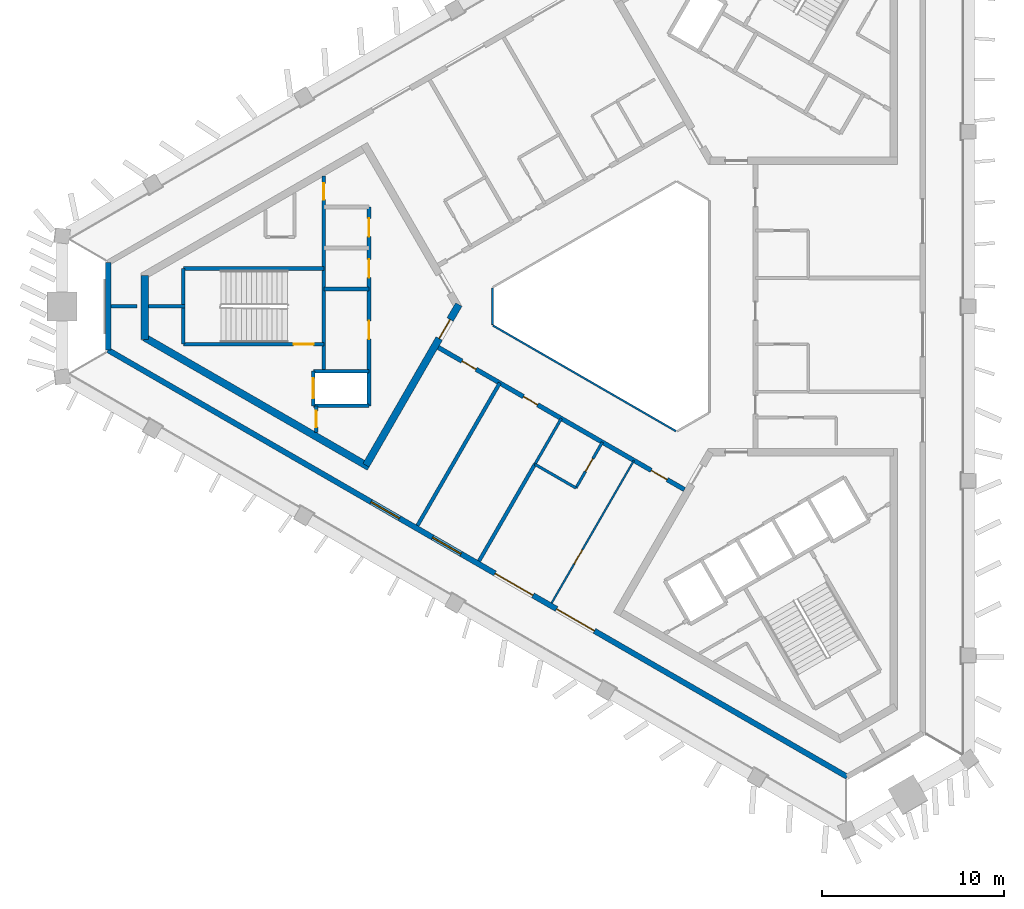
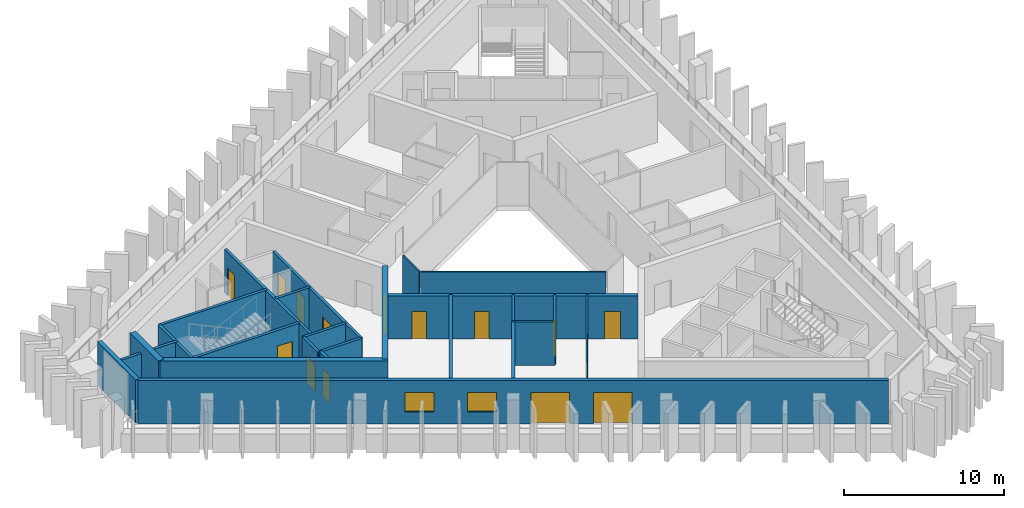
# One storey, part 2 of 9: 26 walls, 15 doors, 2 windows, 17 openings.
"""IFC4 building model written with IfcOpenShell, lengths in metres."""

from ifc_helpers import new_model, si_unit, direction, frame, frame_2d, origin, place, context, subcontext, project, spatial, rectangle, extrude, material, layer, layer_set, type_object, element, fill, save


model = new_model("IFC4")

# Units and contexts
model_context = context("Model", 3, precision=1e-05, world=origin(), true_north=direction((0.0, 1.0)))
body_context = subcontext(model_context, "Body", "Model", "MODEL_VIEW")
ifc_project = project(units=[si_unit("LENGTHUNIT", "METRE"), si_unit("AREAUNIT", "SQUARE_METRE"), si_unit("VOLUMEUNIT", "CUBIC_METRE"), si_unit("PLANEANGLEUNIT", "RADIAN"), si_unit("MASSUNIT", "GRAM", prefix="KILO")], contexts=[model_context])

# Site, building, storey
site_placement = place(None, origin())
site = spatial("IfcSite", under=ifc_project, at=site_placement, CompositionType="ELEMENT")
building_placement = place(site_placement, origin())
building = spatial("IfcBuilding", under=site, at=building_placement, Name="Jabali Bay Hotel Tower and Convention Centre", CompositionType="ELEMENT")
storey_placement = place(building_placement, frame((0.0, 0.0, 288.60009765625)))
storey = spatial("IfcBuildingStorey", under=building, at=storey_placement, Name="L71", CompositionType="ELEMENT", Elevation=288.60009765625)

# Walls
ifc_material_1 = material(Name="Fire-resistant glazing", Category="glass")
ifc_layer_1 = layer(ifc_material_1, 0.10009765625)
ifc_layer_set_1 = layer_set([ifc_layer_1], Name="Fire-resistant glazing")
wall_type_1 = type_object("IfcWallType", Name="Atrium glazed screen 100", PredefinedType="PARTITIONING", material=ifc_layer_set_1)
wall_1_placement = place(storey_placement, frame((67.672119140625, 81.0, 0.0), z_axis=(0.0, 0.0, 1.0), x_axis=(0.0, -1.0, 0.0)))
element("IfcWall", 1, at=wall_1_placement, inside=storey, type_object=wall_type_1, Name="Atrium screen 4 L71", PredefinedType="PARTITIONING", context=body_context, shape_type="SweptSolid", body=[
    extrude(rectangle(XDim=2.0, YDim=0.10009765625, at=frame_2d((1.0, 0.0))), origin(), (0.0, 0.0, 1.0), 3.2998046875),
])
wall_2_placement = place(storey_placement, frame((67.7021484375, 78.947998046875, 0.0), z_axis=(0.0, 0.0, 1.0), x_axis=(0.866026658274, -0.499997827154, 0.0)))
element("IfcWall", 2, at=wall_2_placement, inside=storey, type_object=wall_type_1, Name="Atrium screen 5 L71", PredefinedType="PARTITIONING", context=body_context, shape_type="SweptSolid", body=[
    extrude(rectangle(XDim=11.58837890625, YDim=0.10009765625, at=frame_2d((5.794189453125, 0.0))), origin(), (0.0, 0.0, 1.0), 3.2998046875),
])
ifc_material_2 = material(Name="Concrete C40", Category="concrete")
ifc_layer_2 = layer(ifc_material_2, 0.199951171875)
ifc_layer_set_2 = layer_set([ifc_layer_2], Name="Concrete C40")
wall_type_2 = type_object("IfcWallType", Name="Core partition wall 200", PredefinedType="PARTITIONING", material=ifc_layer_set_2)
wall_3_placement = place(storey_placement, frame((50.820068359375, 80.0, 0.0), z_axis=(0.0, 0.0, 1.0), x_axis=(-1.0, 0.0, 0.0)))
element("IfcWall", 3, at=wall_3_placement, inside=storey, type_object=wall_type_2, Name="Core wall 0.5 L71", PredefinedType="PARTITIONING", context=body_context, shape_type="SweptSolid", body=[
    extrude(rectangle(XDim=2.023193359375, YDim=0.199951171875, at=frame_2d((1.01171875, 0.0))), origin(), (0.0, 0.0, 1.0), 3.2998046875),
])

# Wall, opening, door
wall_4_placement = place(storey_placement, frame((58.0, 74.550048828125, 0.0), z_axis=(0.0, 0.0, 1.0), x_axis=(0.0, -1.0, 0.0)))
wall_4 = element("IfcWall", 4, at=wall_4_placement, inside=storey, type_object=wall_type_2, Name="Core wall 0.11 L71", PredefinedType="PARTITIONING", context=body_context, shape_type="SweptSolid", body=[
    extrude(rectangle(XDim=1.455078125, YDim=0.199951171875, at=frame_2d((0.7275390625, 0.0))), origin(), (0.0, 0.0, 1.0), 3.2998046875),
])
opening_1_placement = place(wall_4_placement, frame((0.277587890625, 0.0, 0.0)))
opening_1 = element("IfcOpeningElement", 5, at=opening_1_placement, cuts=wall_4, Name="Opening D1569", PredefinedType="OPENING", context=body_context, shape_type="SweptSolid", body=[
    extrude(rectangle(XDim=0.89990234375, YDim=2.10009765625, at=frame_2d((0.449951171875, 1.050048828125))), frame((0.0, 0.1103515625, 0.0), z_axis=(0.0, -1.0, 0.0), x_axis=(1.0, 0.0, 0.0)), (0.0, 0.0, 1.0), 0.220947265625),
])
ifc_material_3 = material(Name="Fire-rated steel door", Category="steel")
door_type_1 = type_object("IfcDoorType", Name="Vestibule fire door 900 x 2100", OperationType="NOTDEFINED", PredefinedType="NOTDEFINED", material=ifc_material_3)
door_1_placement = place(opening_1_placement, origin())
door_1 = element("IfcDoor", 6, at=door_1_placement, inside=storey, type_object=door_type_1, Name="Vestibule fire door D1569", OperationType="SINGLE_SWING_LEFT", OverallHeight=2.10009765625, OverallWidth=0.89990234375, PredefinedType="NOTDEFINED", context=body_context, shape_type="SweptSolid", body=[
    extrude(rectangle(XDim=0.89990234375, YDim=2.10009765625, at=frame_2d((0.449951171875, 1.050048828125))), frame((0.0, 0.02490234375, 0.0), z_axis=(0.0, -1.0, 0.0), x_axis=(1.0, 0.0, 0.0)), (0.0, 0.0, 1.0), 0.050048828125),
])
fill(opening_1, door_1)

# Walls
ifc_layer_3 = layer(ifc_material_2, 0.199951171875)
ifc_layer_set_3 = layer_set([ifc_layer_3], Name="Concrete C40")
wall_type_3 = type_object("IfcWallType", Name="Core stair wall 200", PredefinedType="SOLIDWALL", material=ifc_layer_set_3)
wall_5_placement = place(storey_placement, frame((58.419921875, 82.074951171875, 0.0), z_axis=(0.0, 0.0, 1.0), x_axis=(-1.0, 0.0, 0.0)))
element("IfcWall", 7, at=wall_5_placement, inside=storey, type_object=wall_type_3, Name="Core wall 0.3 L71", PredefinedType="SOLIDWALL", context=body_context, shape_type="SweptSolid", body=[
    extrude(rectangle(XDim=7.699951171875, YDim=0.199951171875, at=frame_2d((3.85009765625, 0.0))), origin(), (0.0, 0.0, 1.0), 3.2998046875),
])
wall_6_placement = place(storey_placement, frame((60.89990234375, 80.949951171875, 0.0), z_axis=(0.0, 0.0, 1.0), x_axis=(-1.0, 0.0, 0.0)))
element("IfcWall", 8, at=wall_6_placement, inside=storey, type_object=wall_type_3, Name="Core wall 0.4 L71", PredefinedType="SOLIDWALL", context=body_context, shape_type="SweptSolid", body=[
    extrude(rectangle(XDim=2.47998046875, YDim=0.199951171875, at=frame_2d((1.239990234375, 0.0))), origin(), (0.0, 0.0, 1.0), 3.2998046875),
])

# Wall, opening, door
wall_7_placement = place(storey_placement, frame((58.419921875, 77.925048828125, 0.0), z_axis=(0.0, 0.0, 1.0), x_axis=(-1.0, 0.0, 0.0)))
wall_7 = element("IfcWall", 9, at=wall_7_placement, inside=storey, type_object=wall_type_3, Name="Core wall 0.6 L71", PredefinedType="SOLIDWALL", context=body_context, shape_type="SweptSolid", body=[
    extrude(rectangle(XDim=7.699951171875, YDim=0.199951171875, at=frame_2d((3.85009765625, 0.0))), origin(), (0.0, 0.0, 1.0), 3.2998046875),
])
opening_2_placement = place(wall_7_placement, frame((0.550048828125, 0.0, 0.0)))
opening_2 = element("IfcOpeningElement", 10, at=opening_2_placement, cuts=wall_7, Name="Opening D1571", PredefinedType="OPENING", context=body_context, shape_type="SweptSolid", body=[
    extrude(rectangle(XDim=1.10009765625, YDim=2.10009765625, at=frame_2d((0.550048828125, 1.050048828125))), frame((0.0, 0.1103515625, 0.0), z_axis=(0.0, -1.0, 0.0), x_axis=(1.0, 0.0, 0.0)), (0.0, 0.0, 1.0), 0.220947265625),
])
door_type_2 = type_object("IfcDoorType", Name="Stair fire door 1100 x 2100", OperationType="NOTDEFINED", PredefinedType="NOTDEFINED", material=ifc_material_3)
door_2_placement = place(opening_2_placement, origin())
door_2 = element("IfcDoor", 11, at=door_2_placement, inside=storey, type_object=door_type_2, Name="Stair fire door D1571", OperationType="SINGLE_SWING_RIGHT", OverallHeight=2.10009765625, OverallWidth=1.10009765625, PredefinedType="NOTDEFINED", context=body_context, shape_type="SweptSolid", body=[
    extrude(rectangle(XDim=1.10009765625, YDim=2.10009765625, at=frame_2d((0.550048828125, 1.050048828125))), frame((0.0, 0.02490234375, 0.0), z_axis=(0.0, -1.0, 0.0), x_axis=(1.0, 0.0, 0.0)), (0.0, 0.0, 1.0), 0.050048828125),
])
fill(opening_2, door_2)

# Walls
for number, where, z_axis, x_axis, name in (
    (12, (60.89990234375, 76.449951171875, 0.0), (0.0, 0.0, 1.0), (-1.0, 0.0, 0.0), "Core wall 0.7 L71"),
    (13, (60.89990234375, 74.550048828125, 0.0), (0.0, 0.0, 1.0), (-1.0, 0.0, 0.0), "Core wall 0.8 L71"),
):
    element("IfcWall", number, at=place(storey_placement, frame(where, z_axis=z_axis, x_axis=x_axis)), inside=storey, type_object=wall_type_3, Name=name, PredefinedType="SOLIDWALL", context=body_context, shape_type="SweptSolid", body=[
        extrude(rectangle(XDim=3.0498046875, YDim=0.199951171875, at=frame_2d((1.52490234375, 0.0))), origin(), (0.0, 0.0, 1.0), 3.2998046875),
    ])

# Wall, openings, doors
wall_8_placement = place(storey_placement, frame((60.89990234375, 85.449951171875, 0.0), z_axis=(0.0, 0.0, 1.0), x_axis=(0.0, -1.0, 0.0)))
wall_8 = element("IfcWall", 14, at=wall_8_placement, inside=storey, type_object=wall_type_3, Name="Core wall 0.9 L71", PredefinedType="SOLIDWALL", context=body_context, shape_type="SweptSolid", body=[
    extrude(rectangle(XDim=10.89990234375, YDim=0.199951171875, at=frame_2d((5.449951171875, 0.0))), origin(), (0.0, 0.0, 1.0), 3.2998046875),
])
opening_3_placement = place(wall_8_placement, frame((0.625, 0.0, 0.0)))
opening_3 = element("IfcOpeningElement", 15, at=opening_3_placement, cuts=wall_8, Name="Opening D1566", PredefinedType="OPENING", context=body_context, shape_type="SweptSolid", body=[
    extrude(rectangle(XDim=1.0, YDim=2.10009765625, at=frame_2d((0.5, 1.050048828125))), frame((0.0, 0.1103515625, 0.0), z_axis=(0.0, -1.0, 0.0), x_axis=(1.0, 0.0, 0.0)), (0.0, 0.0, 1.0), 0.220947265625),
])
opening_4_placement = place(wall_8_placement, frame((2.875, 0.0, 0.0)))
opening_4 = element("IfcOpeningElement", 16, at=opening_4_placement, cuts=wall_8, Name="Opening D1567", PredefinedType="OPENING", context=body_context, shape_type="SweptSolid", body=[
    extrude(rectangle(XDim=1.0, YDim=2.10009765625, at=frame_2d((0.5, 1.050048828125))), frame((0.0, 0.1103515625, 0.0), z_axis=(0.0, -1.0, 0.0), x_axis=(1.0, 0.0, 0.0)), (0.0, 0.0, 1.0), 0.220947265625),
])
opening_5_placement = place(wall_8_placement, frame((6.25, 0.0, 0.0)))
opening_5 = element("IfcOpeningElement", 17, at=opening_5_placement, cuts=wall_8, Name="Opening D1568", PredefinedType="OPENING", context=body_context, shape_type="SweptSolid", body=[
    extrude(rectangle(XDim=1.0, YDim=2.10009765625, at=frame_2d((0.5, 1.050048828125))), frame((0.0, 0.1103515625, 0.0), z_axis=(0.0, -1.0, 0.0), x_axis=(1.0, 0.0, 0.0)), (0.0, 0.0, 1.0), 0.220947265625),
])
door_type_3 = type_object("IfcDoorType", Name="Core room door 1000 x 2100", OperationType="NOTDEFINED", PredefinedType="NOTDEFINED", material=ifc_material_3)
door_3_placement = place(opening_3_placement, origin())
door_3 = element("IfcDoor", 18, at=door_3_placement, inside=storey, type_object=door_type_3, Name="Core room door D1566", OperationType="SINGLE_SWING_RIGHT", OverallHeight=2.10009765625, OverallWidth=1.0, PredefinedType="NOTDEFINED", context=body_context, shape_type="SweptSolid", body=[
    extrude(rectangle(XDim=1.0, YDim=2.10009765625, at=frame_2d((0.5, 1.050048828125))), frame((0.0, 0.02490234375, 0.0), z_axis=(0.0, -1.0, 0.0), x_axis=(1.0, 0.0, 0.0)), (0.0, 0.0, 1.0), 0.050048828125),
])
fill(opening_3, door_3)
door_4_placement = place(opening_4_placement, origin())
door_4 = element("IfcDoor", 19, at=door_4_placement, inside=storey, type_object=door_type_3, Name="Core room door D1567", OperationType="SINGLE_SWING_RIGHT", OverallHeight=2.10009765625, OverallWidth=1.0, PredefinedType="NOTDEFINED", context=body_context, shape_type="SweptSolid", body=[
    extrude(rectangle(XDim=1.0, YDim=2.10009765625, at=frame_2d((0.5, 1.050048828125))), frame((0.0, 0.02490234375, 0.0), z_axis=(0.0, -1.0, 0.0), x_axis=(1.0, 0.0, 0.0)), (0.0, 0.0, 1.0), 0.050048828125),
])
fill(opening_4, door_4)
door_5_placement = place(opening_5_placement, origin())
door_5 = element("IfcDoor", 20, at=door_5_placement, inside=storey, type_object=door_type_3, Name="Core room door D1568", OperationType="SINGLE_SWING_RIGHT", OverallHeight=2.10009765625, OverallWidth=1.0, PredefinedType="NOTDEFINED", context=body_context, shape_type="SweptSolid", body=[
    extrude(rectangle(XDim=1.0, YDim=2.10009765625, at=frame_2d((0.5, 1.050048828125))), frame((0.0, 0.02490234375, 0.0), z_axis=(0.0, -1.0, 0.0), x_axis=(1.0, 0.0, 0.0)), (0.0, 0.0, 1.0), 0.050048828125),
])
fill(opening_5, door_5)

# Wall, opening, door
wall_9_placement = place(storey_placement, frame((58.419921875, 87.147705078125, 0.0), z_axis=(0.0, 0.0, 1.0), x_axis=(0.0, -1.0, 0.0)))
wall_9 = element("IfcWall", 21, at=wall_9_placement, inside=storey, type_object=wall_type_3, Name="Core wall 0.10 L71", PredefinedType="SOLIDWALL", context=body_context, shape_type="SweptSolid", body=[
    extrude(rectangle(XDim=10.69775390625, YDim=0.199951171875, at=frame_2d((5.348876953125, 0.0))), origin(), (0.0, 0.0, 1.0), 3.2998046875),
])
opening_6_placement = place(wall_9_placement, frame((0.398681640625, 0.0, 0.0)))
opening_6 = element("IfcOpeningElement", 22, at=opening_6_placement, cuts=wall_9, Name="Opening D1570", PredefinedType="OPENING", context=body_context, shape_type="SweptSolid", body=[
    extrude(rectangle(XDim=0.89990234375, YDim=2.10009765625, at=frame_2d((0.449951171875, 1.050048828125))), frame((0.0, 0.1103515625, 0.0), z_axis=(0.0, -1.0, 0.0), x_axis=(1.0, 0.0, 0.0)), (0.0, 0.0, 1.0), 0.220947265625),
])
door_6_placement = place(opening_6_placement, origin())
door_6 = element("IfcDoor", 23, at=door_6_placement, inside=storey, type_object=door_type_1, Name="Vestibule fire door D1570", OperationType="SINGLE_SWING_LEFT", OverallHeight=2.10009765625, OverallWidth=0.89990234375, PredefinedType="NOTDEFINED", context=body_context, shape_type="SweptSolid", body=[
    extrude(rectangle(XDim=0.89990234375, YDim=2.10009765625, at=frame_2d((0.449951171875, 1.050048828125))), frame((0.0, 0.02490234375, 0.0), z_axis=(0.0, -1.0, 0.0), x_axis=(1.0, 0.0, 0.0)), (0.0, 0.0, 1.0), 0.050048828125),
])
fill(opening_6, door_6)

wall_10_placement = place(storey_placement, frame((57.85009765625, 76.449951171875, 0.0), z_axis=(0.0, 0.0, 1.0), x_axis=(0.0, -1.0, 0.0)))
wall_10 = element("IfcWall", 24, at=wall_10_placement, inside=storey, type_object=wall_type_3, Name="Core wall 0.12 L71", PredefinedType="SOLIDWALL", context=body_context, shape_type="SweptSolid", body=[
    extrude(rectangle(XDim=1.89990234375, YDim=0.199951171875, at=frame_2d((0.949951171875, 0.0))), origin(), (0.0, 0.0, 1.0), 3.2998046875),
])
opening_7_placement = place(wall_10_placement, frame((0.39990234375, 0.0, 0.0)))
opening_7 = element("IfcOpeningElement", 25, at=opening_7_placement, cuts=wall_10, Name="Opening LD5-L71", PredefinedType="OPENING", context=body_context, shape_type="SweptSolid", body=[
    extrude(rectangle(XDim=1.10009765625, YDim=2.10009765625, at=frame_2d((0.550048828125, 1.050048828125))), frame((0.0, 0.1103515625, 0.0), z_axis=(0.0, -1.0, 0.0), x_axis=(1.0, 0.0, 0.0)), (0.0, 0.0, 1.0), 0.220947265625),
])
ifc_material_4 = material(Name="Stainless steel landing door", Category="steel")
door_type_4 = type_object("IfcDoorType", Name="Landing door 1100 x 2100", OperationType="NOTDEFINED", PredefinedType="NOTDEFINED", material=ifc_material_4)
door_7_placement = place(opening_7_placement, origin())
door_7 = element("IfcDoor", 26, at=door_7_placement, inside=storey, type_object=door_type_4, Name="Landing doors LD5-L71", OperationType="SLIDING_TO_RIGHT", OverallHeight=2.10009765625, OverallWidth=1.10009765625, PredefinedType="NOTDEFINED", context=body_context, shape_type="SweptSolid", body=[
    extrude(rectangle(XDim=1.10009765625, YDim=2.10009765625, at=frame_2d((0.550048828125, 1.050048828125))), frame((0.0, 0.02490234375, 0.0), z_axis=(0.0, -1.0, 0.0), x_axis=(1.0, 0.0, 0.0)), (0.0, 0.0, 1.0), 0.050048828125),
])
fill(opening_7, door_7)

# Walls
wall_11_placement = place(storey_placement, frame((50.719970703125, 82.074951171875, 0.0), z_axis=(0.0, 0.0, 1.0), x_axis=(0.0, -1.0, 0.0)))
element("IfcWall", 27, at=wall_11_placement, inside=storey, type_object=wall_type_3, Name="Core wall 0.15 L71", PredefinedType="SOLIDWALL", context=body_context, shape_type="SweptSolid", body=[
    extrude(rectangle(XDim=4.14990234375, YDim=0.199951171875, at=frame_2d((2.074951171875, 0.0))), origin(), (0.0, 0.0, 1.0), 3.2998046875),
])
ifc_material_5 = material(Name="Concrete C60", Category="concrete")
ifc_layer_4 = layer(ifc_material_5, 0.39990234375)
ifc_layer_set_4 = layer_set([ifc_layer_4], Name="Concrete C60")
wall_type_4 = type_object("IfcWallType", Name="Core wall 400", PredefinedType="SHEAR", material=ifc_layer_set_4)
wall_12_placement = place(storey_placement, frame((48.596923828125, 81.707275390625, 0.0), z_axis=(0.0, 0.0, 1.0), x_axis=(0.0, -1.0, 0.0)))
element("IfcWall", 28, at=wall_12_placement, inside=storey, type_object=wall_type_4, Name="Core wall 1.3 L71", PredefinedType="SHEAR", context=body_context, shape_type="SweptSolid", body=[
    extrude(rectangle(XDim=3.530029296875, YDim=0.39990234375, at=frame_2d((1.76513671875, 0.0))), origin(), (0.0, 0.0, 1.0), 3.699951171875),
])
wall_13_placement = place(storey_placement, frame((48.596923828125, 78.292724609375, 0.0), z_axis=(0.0, 0.0, 1.0), x_axis=(0.866026024469, -0.499998924941, 0.0)))
element("IfcWall", 29, at=wall_13_placement, inside=storey, type_object=wall_type_4, Name="Core wall 1.4 L71", PredefinedType="SHEAR", context=body_context, shape_type="SweptSolid", body=[
    extrude(rectangle(XDim=14.2177734375, YDim=0.39990234375, at=frame_2d((7.10888671875, 0.0))), origin(), (0.0, 0.0, 1.0), 3.699951171875),
])

# Wall, opening, door
wall_14_placement = place(storey_placement, frame((60.73681640625, 71.283935546875, 0.0), z_axis=(0.0, 0.0, 1.0), x_axis=(0.50000547566, 0.866022242388, 0.0)))
wall_14 = element("IfcWall", 30, at=wall_14_placement, inside=storey, type_object=wall_type_4, Name="Core wall 1.5 L71", PredefinedType="SHEAR", context=body_context, shape_type="SweptSolid", body=[
    extrude(rectangle(XDim=10.18017578125, YDim=0.39990234375, at=frame_2d((5.090087890625, 0.0))), origin(), (0.0, 0.0, 1.0), 3.699951171875),
])
opening_8_placement = place(wall_14_placement, frame((8.030029296875, 0.0, 0.0)))
opening_8 = element("IfcOpeningElement", 31, at=opening_8_placement, cuts=wall_14, Name="Opening D1565", PredefinedType="OPENING", context=body_context, shape_type="SweptSolid", body=[
    extrude(rectangle(XDim=1.199951171875, YDim=2.10009765625, at=frame_2d((0.60009765625, 1.050048828125))), frame((0.0, 0.21044921875, 0.0), z_axis=(0.0, -1.0, 0.0), x_axis=(1.0, 0.0, 0.0)), (0.0, 0.0, 1.0), 0.4208984375),
])
door_type_5 = type_object("IfcDoorType", Name="Corridor end fire door 1200 x 2100", OperationType="NOTDEFINED", PredefinedType="NOTDEFINED", material=ifc_material_3)
door_8_placement = place(opening_8_placement, origin())
door_8 = element("IfcDoor", 32, at=door_8_placement, inside=storey, type_object=door_type_5, Name="Corridor end fire door D1565", OperationType="SINGLE_SWING_LEFT", OverallHeight=2.10009765625, OverallWidth=1.199951171875, PredefinedType="NOTDEFINED", context=body_context, shape_type="SweptSolid", body=[
    extrude(rectangle(XDim=1.199951171875, YDim=2.10009765625, at=frame_2d((0.60009765625, 1.050048828125))), frame((0.0, 0.02490234375, 0.0), z_axis=(0.0, -1.0, 0.0), x_axis=(1.0, 0.0, 0.0)), (0.0, 0.0, 1.0), 0.050048828125),
])
fill(opening_8, door_8)

# Wall, openings, doors
ifc_layer_5 = layer(ifc_material_5, 0.25)
ifc_layer_set_5 = layer_set([ifc_layer_5], Name="Concrete C60")
wall_type_5 = type_object("IfcWallType", Name="Corridor wall 250", PredefinedType="SHEAR", material=ifc_layer_set_5)
wall_15_placement = place(storey_placement, frame((64.699951171875, 77.748291015625, 0.0), z_axis=(0.0, 0.0, 1.0), x_axis=(0.866026492143, -0.499998114903, 0.0)))
wall_15 = element("IfcWall", 33, at=wall_15_placement, inside=storey, type_object=wall_type_5, Name="Corridor wall 3 L71", PredefinedType="SHEAR", context=body_context, shape_type="SweptSolid", body=[
    extrude(rectangle(XDim=15.58837890625, YDim=0.25, at=frame_2d((7.794189453125, 0.0))), origin(), (0.0, 0.0, 1.0), 3.2998046875),
])
opening_9_placement = place(wall_15_placement, frame((1.49853515625, 0.0, 0.0)))
opening_9 = element("IfcOpeningElement", 34, at=opening_9_placement, cuts=wall_15, Name="Opening 7114", PredefinedType="OPENING", context=body_context, shape_type="SweptSolid", body=[
    extrude(rectangle(XDim=0.89990234375, YDim=2.10009765625, at=frame_2d((0.449951171875, 1.050048828125))), frame((0.0, 0.135498046875, 0.0), z_axis=(0.0, -1.0, 0.0), x_axis=(1.0, 0.0, 0.0)), (0.0, 0.0, 1.0), 0.27099609375),
])
opening_10_placement = place(wall_15_placement, frame((5.395751953125, 0.0, 0.0)))
opening_10 = element("IfcOpeningElement", 35, at=opening_10_placement, cuts=wall_15, Name="Opening 7115", PredefinedType="OPENING", context=body_context, shape_type="SweptSolid", body=[
    extrude(rectangle(XDim=0.89990234375, YDim=2.10009765625, at=frame_2d((0.449951171875, 1.050048828125))), frame((0.0, 0.135498046875, 0.0), z_axis=(0.0, -1.0, 0.0), x_axis=(1.0, 0.0, 0.0)), (0.0, 0.0, 1.0), 0.27099609375),
])
opening_11_placement = place(wall_15_placement, frame((13.4912109375, 0.0, 0.0)))
opening_11 = element("IfcOpeningElement", 36, at=opening_11_placement, cuts=wall_15, Name="Opening 7118", PredefinedType="OPENING", context=body_context, shape_type="SweptSolid", body=[
    extrude(rectangle(XDim=1.0, YDim=2.10009765625, at=frame_2d((0.5, 1.050048828125))), frame((0.0, 0.135498046875, 0.0), z_axis=(0.0, -1.0, 0.0), x_axis=(1.0, 0.0, 0.0)), (0.0, 0.0, 1.0), 0.27099609375),
])
ifc_material_6 = material(Name="Timber", Category="wood")
door_type_6 = type_object("IfcDoorType", Name="Guest room door 1000 x 2100", OperationType="NOTDEFINED", PredefinedType="NOTDEFINED", material=ifc_material_6)
door_9_placement = place(opening_11_placement, origin())
door_9 = element("IfcDoor", 37, at=door_9_placement, inside=storey, type_object=door_type_6, Name="Door 7118", OperationType="SINGLE_SWING_RIGHT", OverallHeight=2.10009765625, OverallWidth=1.0, PredefinedType="NOTDEFINED", context=body_context, shape_type="SweptSolid", body=[
    extrude(rectangle(XDim=1.0, YDim=2.10009765625, at=frame_2d((0.5, 1.050048828125))), frame((0.0, 0.02490234375, 0.0), z_axis=(0.0, -1.0, 0.0), x_axis=(1.0, 0.0, 0.0)), (0.0, 0.0, 1.0), 0.050048828125),
])
fill(opening_11, door_9)
door_type_7 = type_object("IfcDoorType", Name="Internal door 900 x 2100", OperationType="NOTDEFINED", PredefinedType="NOTDEFINED", material=ifc_material_6)
door_10_placement = place(opening_9_placement, origin())
door_10 = element("IfcDoor", 38, at=door_10_placement, inside=storey, type_object=door_type_7, Name="Door 7114", OperationType="SINGLE_SWING_LEFT", OverallHeight=2.10009765625, OverallWidth=0.89990234375, PredefinedType="NOTDEFINED", context=body_context, shape_type="SweptSolid", body=[
    extrude(rectangle(XDim=0.89990234375, YDim=2.10009765625, at=frame_2d((0.449951171875, 1.050048828125))), frame((0.0, 0.02490234375, 0.0), z_axis=(0.0, -1.0, 0.0), x_axis=(1.0, 0.0, 0.0)), (0.0, 0.0, 1.0), 0.050048828125),
])
fill(opening_9, door_10)
door_11_placement = place(opening_10_placement, origin())
door_11 = element("IfcDoor", 39, at=door_11_placement, inside=storey, type_object=door_type_7, Name="Door 7115", OperationType="SINGLE_SWING_LEFT", OverallHeight=2.10009765625, OverallWidth=0.89990234375, PredefinedType="NOTDEFINED", context=body_context, shape_type="SweptSolid", body=[
    extrude(rectangle(XDim=0.89990234375, YDim=2.10009765625, at=frame_2d((0.449951171875, 1.050048828125))), frame((0.0, 0.02490234375, 0.0), z_axis=(0.0, -1.0, 0.0), x_axis=(1.0, 0.0, 0.0)), (0.0, 0.0, 1.0), 0.050048828125),
])
fill(opening_10, door_11)

# Wall
ifc_layer_6 = layer(ifc_material_2, 0.300048828125)
ifc_layer_set_6 = layer_set([ifc_layer_6], Name="Concrete C40")
wall_type_6 = type_object("IfcWallType", Name="External wall 300", PredefinedType="SOLIDWALL", material=ifc_layer_set_6)
wall_16_placement = place(storey_placement, frame((46.5888671875, 77.605712890625, 0.0), z_axis=(0.0, 0.0, 1.0), x_axis=(0.0, 1.0, 0.0)))
element("IfcWall", 40, at=wall_16_placement, inside=storey, type_object=wall_type_6, Name="External wall west chamfer L71", PredefinedType="SOLIDWALL", context=body_context, shape_type="SweptSolid", body=[
    extrude(rectangle(XDim=4.78857421875, YDim=0.300048828125, at=frame_2d((2.394287109375, 0.0))), origin(), (0.0, 0.0, 1.0), 3.2998046875),
])

# Wall, openings, doors, windows
wall_17_placement = place(storey_placement, frame((87.132080078125, 54.197998046875, 0.0), z_axis=(0.0, 0.0, 1.0), x_axis=(-0.866024664133, 0.500001281111, 0.0)))
wall_17 = element("IfcWall", 41, at=wall_17_placement, inside=storey, type_object=wall_type_6, Name="External wall south-west face L71", PredefinedType="SOLIDWALL", context=body_context, shape_type="SweptSolid", body=[
    extrude(rectangle(XDim=46.8154296875, YDim=0.300048828125, at=frame_2d((23.40771484375, 0.0))), origin(), (0.0, 0.0, 1.0), 3.2998046875),
])
opening_12_placement = place(wall_17_placement, frame((19.90771484375, 0.0, 0.0)))
opening_12 = element("IfcOpeningElement", 42, at=opening_12_placement, cuts=wall_17, Name="Opening SD1", PredefinedType="OPENING", context=body_context, shape_type="SweptSolid", body=[
    extrude(rectangle(XDim=2.39990234375, YDim=2.39990234375, at=frame_2d((1.199951171875, 1.199951171875))), frame((0.0, 0.16064453125, 0.0), z_axis=(0.0, -1.0, 0.0), x_axis=(1.0, 0.0, 0.0)), (0.0, 0.0, 1.0), 0.321044921875),
])
opening_13_placement = place(wall_17_placement, frame((16.0107421875, 0.0, 0.0)))
opening_13 = element("IfcOpeningElement", 43, at=opening_13_placement, cuts=wall_17, Name="Opening SD1", PredefinedType="OPENING", context=body_context, shape_type="SweptSolid", body=[
    extrude(rectangle(XDim=2.39990234375, YDim=2.39990234375, at=frame_2d((1.199951171875, 1.199951171875))), frame((0.0, 0.16064453125, 0.0), z_axis=(0.0, -1.0, 0.0), x_axis=(1.0, 0.0, 0.0)), (0.0, 0.0, 1.0), 0.321044921875),
])
opening_14_placement = place(wall_17_placement, frame((28.353515625, 0.0, 0.89990234375)))
opening_14 = element("IfcOpeningElement", 44, at=opening_14_placement, cuts=wall_17, Name="Opening W1", PredefinedType="OPENING", context=body_context, shape_type="SweptSolid", body=[
    extrude(rectangle(XDim=1.800048828125, YDim=1.5, at=frame_2d((0.89990234375, 0.75))), frame((0.0, 0.16064453125, 0.0), z_axis=(0.0, -1.0, 0.0), x_axis=(1.0, 0.0, 0.0)), (0.0, 0.0, 1.0), 0.321044921875),
])
opening_15_placement = place(wall_17_placement, frame((24.456298828125, 0.0, 0.89990234375)))
opening_15 = element("IfcOpeningElement", 45, at=opening_15_placement, cuts=wall_17, Name="Opening W1", PredefinedType="OPENING", context=body_context, shape_type="SweptSolid", body=[
    extrude(rectangle(XDim=1.800048828125, YDim=1.5, at=frame_2d((0.89990234375, 0.75))), frame((0.0, 0.16064453125, 0.0), z_axis=(0.0, -1.0, 0.0), x_axis=(1.0, 0.0, 0.0)), (0.0, 0.0, 1.0), 0.321044921875),
])
ifc_material_7 = material(Name="Glass", Category="glass")
door_type_8 = type_object("IfcDoorType", Name="Loggia sliding door 2400 x 2400", OperationType="NOTDEFINED", PredefinedType="NOTDEFINED", material=ifc_material_7)
door_12_placement = place(opening_12_placement, origin())
door_12 = element("IfcDoor", 46, at=door_12_placement, inside=storey, type_object=door_type_8, Name="Loggia sliding door 7109", OperationType="SLIDING_TO_LEFT", OverallHeight=2.39990234375, OverallWidth=2.39990234375, PredefinedType="NOTDEFINED", context=body_context, shape_type="SweptSolid", body=[
    extrude(rectangle(XDim=2.39990234375, YDim=2.39990234375, at=frame_2d((1.199951171875, 1.199951171875))), frame((0.0, 0.02490234375, 0.0), z_axis=(0.0, -1.0, 0.0), x_axis=(1.0, 0.0, 0.0)), (0.0, 0.0, 1.0), 0.050048828125),
])
fill(opening_12, door_12)
door_13_placement = place(opening_13_placement, origin())
door_13 = element("IfcDoor", 47, at=door_13_placement, inside=storey, type_object=door_type_8, Name="Loggia sliding door 7109", OperationType="SLIDING_TO_RIGHT", OverallHeight=2.39990234375, OverallWidth=2.39990234375, PredefinedType="NOTDEFINED", context=body_context, shape_type="SweptSolid", body=[
    extrude(rectangle(XDim=2.39990234375, YDim=2.39990234375, at=frame_2d((1.199951171875, 1.199951171875))), frame((0.0, 0.02490234375, 0.0), z_axis=(0.0, -1.0, 0.0), x_axis=(1.0, 0.0, 0.0)), (0.0, 0.0, 1.0), 0.050048828125),
])
fill(opening_13, door_13)
window_type = type_object("IfcWindowType", Name="Window 1800 x 1500", PartitioningType="SINGLE_PANEL", PredefinedType="WINDOW", material=ifc_material_7)
window_1_placement = place(opening_14_placement, origin())
window_1 = element("IfcWindow", 48, at=window_1_placement, inside=storey, type_object=window_type, Name="Window 7107", OverallHeight=1.5, OverallWidth=1.800048828125, PartitioningType="SINGLE_PANEL", PredefinedType="WINDOW", context=body_context, shape_type="SweptSolid", body=[
    extrude(rectangle(XDim=1.800048828125, YDim=1.5, at=frame_2d((0.89990234375, 0.75))), frame((0.0, 0.030029296875, 0.0), z_axis=(0.0, -1.0, 0.0), x_axis=(1.0, 0.0, 0.0)), (0.0, 0.0, 1.0), 0.06005859375),
])
fill(opening_14, window_1)
window_2_placement = place(opening_15_placement, origin())
window_2 = element("IfcWindow", 49, at=window_2_placement, inside=storey, type_object=window_type, Name="Window 7108", OverallHeight=1.5, OverallWidth=1.800048828125, PartitioningType="SINGLE_PANEL", PredefinedType="WINDOW", context=body_context, shape_type="SweptSolid", body=[
    extrude(rectangle(XDim=1.800048828125, YDim=1.5, at=frame_2d((0.89990234375, 0.75))), frame((0.0, 0.030029296875, 0.0), z_axis=(0.0, -1.0, 0.0), x_axis=(1.0, 0.0, 0.0)), (0.0, 0.0, 1.0), 0.06005859375),
])
fill(opening_15, window_2)

# Wall, opening, door
ifc_material_8 = material(Name="Plasterboard on steel stud", Category="steel")
ifc_layer_7 = layer(ifc_material_8, 0.10009765625)
ifc_layer_set_7 = layer_set([ifc_layer_7], Name="Plasterboard on steel stud")
wall_type_7 = type_object("IfcWallType", Name="Partition 100 unit", PredefinedType="PARTITIONING", material=ifc_layer_set_7)
wall_18_placement = place(storey_placement, frame((70.918701171875, 63.73095703125, 0.0), z_axis=(0.0, 0.0, 1.0), x_axis=(0.500006411147, 0.866021702275, 0.0)))
wall_18 = element("IfcWall", 50, at=wall_18_placement, inside=storey, type_object=wall_type_7, Name="Partition P02 L71 027", PredefinedType="PARTITIONING", context=body_context, shape_type="SweptSolid", body=[
    extrude(rectangle(XDim=9.0302734375, YDim=0.10009765625, at=frame_2d((4.51513671875, 0.0))), origin(), (0.0, 0.0, 1.0), 3.2998046875),
])
opening_16_placement = place(wall_18_placement, frame((2.466064453125, 0.0, 0.0)))
opening_16 = element("IfcOpeningElement", 51, at=opening_16_placement, cuts=wall_18, Name="Opening 7117", PredefinedType="OPENING", context=body_context, shape_type="SweptSolid", body=[
    extrude(rectangle(XDim=0.89990234375, YDim=2.10009765625, at=frame_2d((0.449951171875, 1.050048828125))), frame((0.0, 0.060546875, 0.0), z_axis=(0.0, -1.0, 0.0), x_axis=(1.0, 0.0, 0.0)), (0.0, 0.0, 1.0), 0.12109375),
])
door_14_placement = place(opening_16_placement, origin())
door_14 = element("IfcDoor", 52, at=door_14_placement, inside=storey, type_object=door_type_7, Name="Door 7117", OperationType="SINGLE_SWING_RIGHT", OverallHeight=2.10009765625, OverallWidth=0.89990234375, PredefinedType="NOTDEFINED", context=body_context, shape_type="SweptSolid", body=[
    extrude(rectangle(XDim=0.89990234375, YDim=2.10009765625, at=frame_2d((0.449951171875, 1.050048828125))), frame((0.0, 0.02490234375, 0.0), z_axis=(0.0, -1.0, 0.0), x_axis=(1.0, 0.0, 0.0)), (0.0, 0.0, 1.0), 0.050048828125),
])
fill(opening_16, door_14)

# Wall
ifc_layer_8 = layer(ifc_material_8, 0.14990234375)
ifc_layer_set_8 = layer_set([ifc_layer_8], Name="Plasterboard on steel stud")
wall_type_8 = type_object("IfcWallType", Name="Partition 150 wet", PredefinedType="PARTITIONING", material=ifc_layer_set_8)
wall_19_placement = place(storey_placement, frame((70.0, 71.33984375, 0.0), z_axis=(0.0, 0.0, 1.0), x_axis=(0.499987231761, 0.866032775405, 0.0)))
element("IfcWall", 53, at=wall_19_placement, inside=storey, type_object=wall_type_8, Name="Partition P03 L71 026", PredefinedType="PARTITIONING", context=body_context, shape_type="SweptSolid", body=[
    extrude(rectangle(XDim=2.89990234375, YDim=0.14990234375, at=frame_2d((1.449951171875, 0.0))), origin(), (0.0, 0.0, 1.0), 3.2998046875),
])

# Wall, opening, door
wall_20_placement = place(storey_placement, frame((73.70166015625, 72.55126953125, 0.0), z_axis=(0.0, 0.0, 1.0), x_axis=(-0.499987231761, -0.866032775405, 0.0)))
wall_20 = element("IfcWall", 54, at=wall_20_placement, inside=storey, type_object=wall_type_8, Name="Partition P03 L71 028", PredefinedType="PARTITIONING", context=body_context, shape_type="SweptSolid", body=[
    extrude(rectangle(XDim=2.89990234375, YDim=0.14990234375, at=frame_2d((1.449951171875, 0.0))), origin(), (0.0, 0.0, 1.0), 3.2998046875),
])
opening_17_placement = place(wall_20_placement, frame((1.050048828125, 0.0, 0.0)))
opening_17 = element("IfcOpeningElement", 55, at=opening_17_placement, cuts=wall_20, Name="Opening 7116", PredefinedType="OPENING", context=body_context, shape_type="SweptSolid", body=[
    extrude(rectangle(XDim=0.800048828125, YDim=2.10009765625, at=frame_2d((0.39990234375, 1.050048828125))), frame((0.0, 0.08544921875, 0.0), z_axis=(0.0, -1.0, 0.0), x_axis=(1.0, 0.0, 0.0)), (0.0, 0.0, 1.0), 0.1708984375),
])
door_type_9 = type_object("IfcDoorType", Name="En-suite door 800 x 2100", OperationType="NOTDEFINED", PredefinedType="NOTDEFINED", material=ifc_material_6)
door_15_placement = place(opening_17_placement, origin())
door_15 = element("IfcDoor", 56, at=door_15_placement, inside=storey, type_object=door_type_9, Name="Door 7116", OperationType="SINGLE_SWING_RIGHT", OverallHeight=2.10009765625, OverallWidth=0.800048828125, PredefinedType="NOTDEFINED", context=body_context, shape_type="SweptSolid", body=[
    extrude(rectangle(XDim=0.800048828125, YDim=2.10009765625, at=frame_2d((0.39990234375, 1.050048828125))), frame((0.0, 0.02490234375, 0.0), z_axis=(0.0, -1.0, 0.0), x_axis=(1.0, 0.0, 0.0)), (0.0, 0.0, 1.0), 0.050048828125),
])
fill(opening_17, door_15)

# Walls
wall_21_placement = place(storey_placement, frame((72.251708984375, 70.039794921875, 0.0), z_axis=(0.0, 0.0, 1.0), x_axis=(-0.866021400173, 0.500006934395, 0.0)))
element("IfcWall", 57, at=wall_21_placement, inside=storey, type_object=wall_type_8, Name="Partition P03 L71 029", PredefinedType="PARTITIONING", context=body_context, shape_type="SweptSolid", body=[
    extrude(rectangle(XDim=2.60009765625, YDim=0.14990234375, at=frame_2d((1.300048828125, 0.0))), origin(), (0.0, 0.0, 1.0), 3.2998046875),
])
ifc_layer_9 = layer(ifc_material_8, 0.199951171875)
ifc_layer_set_9 = layer_set([ifc_layer_9], Name="Plasterboard on steel stud")
wall_type_9 = type_object("IfcWallType", Name="Partition 200 party", PredefinedType="PARTITIONING", material=ifc_layer_set_9)
wall_22_placement = place(storey_placement, frame((46.7587890625, 80.0009765625, 0.0), z_axis=(0.0, 0.0, 1.0), x_axis=(1.0, 0.0, 0.0)))
element("IfcWall", 58, at=wall_22_placement, inside=storey, type_object=wall_type_9, Name="Partition P01 L71 023", PredefinedType="PARTITIONING", context=body_context, shape_type="SweptSolid", body=[
    extrude(rectangle(XDim=1.418212890625, YDim=0.199951171875, at=frame_2d((0.708984375, 0.0))), origin(), (0.0, 0.0, 1.0), 3.2998046875),
])
wall_23_placement = place(storey_placement, frame((63.559814453125, 67.9794921875, 0.0), z_axis=(0.0, 0.0, 1.0), x_axis=(0.500006411147, 0.866021702275, 0.0)))
element("IfcWall", 59, at=wall_23_placement, inside=storey, type_object=wall_type_9, Name="Partition P01 L71 024", PredefinedType="PARTITIONING", context=body_context, shape_type="SweptSolid", body=[
    extrude(rectangle(XDim=9.0302734375, YDim=0.199951171875, at=frame_2d((4.51513671875, 0.0))), origin(), (0.0, 0.0, 1.0), 3.2998046875),
])
wall_24_placement = place(storey_placement, frame((66.934814453125, 66.031005859375, 0.0), z_axis=(0.0, 0.0, 1.0), x_axis=(0.500015484165, 0.866016463813, 0.0)))
element("IfcWall", 60, at=wall_24_placement, inside=storey, type_object=wall_type_9, Name="Partition P01 L71 025", PredefinedType="PARTITIONING", context=body_context, shape_type="SweptSolid", body=[
    extrude(rectangle(XDim=6.130126953125, YDim=0.199951171875, at=frame_2d((3.06494140625, 0.0))), origin(), (0.0, 0.0, 1.0), 3.2998046875),
])

save(model, "model.ifc")
